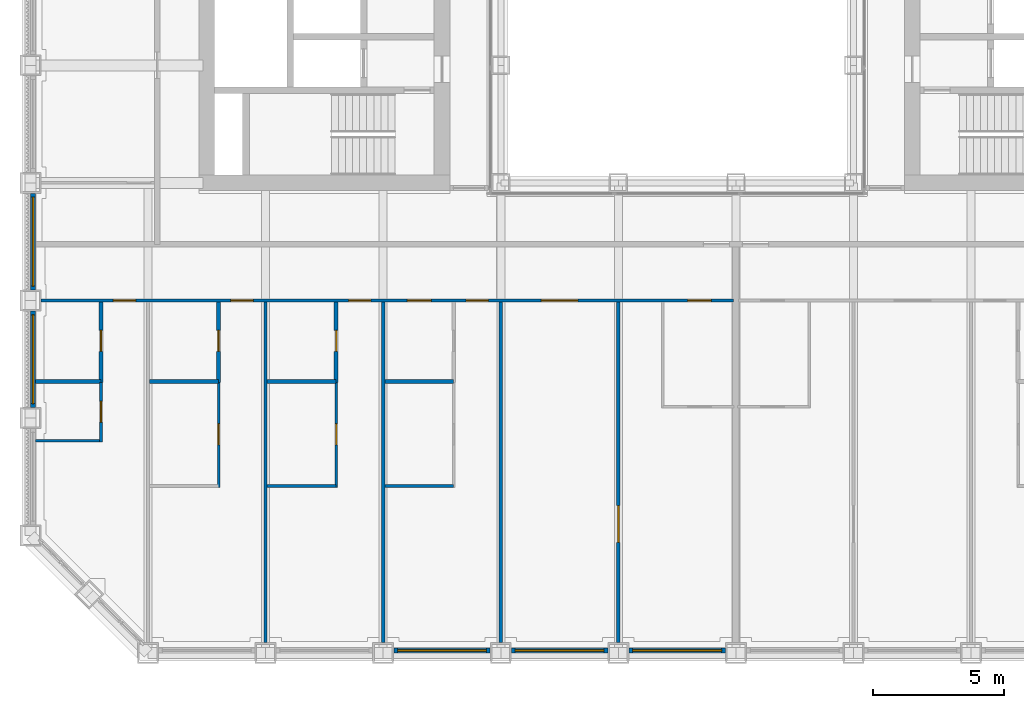
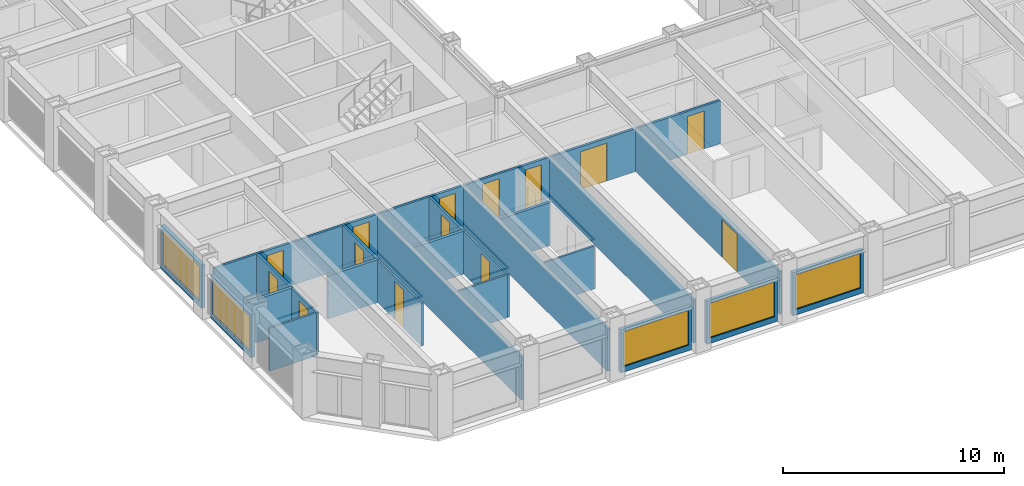
# One storey, part 9 of 21: 23 walls, 14 doors, 5 windows, 19 openings.
"""IFC4 building model written with IfcOpenShell, lengths in metres."""

from ifc_helpers import new_model, si_unit, direction, frame, frame_2d, origin, place, context, subcontext, project, spatial, rectangle, extrude, material, layer, layer_set, type_object, element, fill, save


model = new_model("IFC4")

# Units and contexts
model_context = context("Model", 3, precision=1e-05, world=origin(), true_north=direction((0.0, 1.0)))
body_context = subcontext(model_context, "Body", "Model", "MODEL_VIEW")
ifc_project = project(units=[si_unit("LENGTHUNIT", "METRE"), si_unit("AREAUNIT", "SQUARE_METRE"), si_unit("VOLUMEUNIT", "CUBIC_METRE"), si_unit("PLANEANGLEUNIT", "RADIAN"), si_unit("MASSUNIT", "GRAM", prefix="KILO")], contexts=[model_context])

# Site, building, storey
site_placement = place(None, origin())
site = spatial("IfcSite", under=ifc_project, at=site_placement, CompositionType="ELEMENT")
building_placement = place(site_placement, origin())
building = spatial("IfcBuilding", under=site, at=building_placement, Name="Msasa Ring Tower", CompositionType="ELEMENT")
storey_placement = place(building_placement, frame((0.0, 0.0, 82.5)))
storey = spatial("IfcBuildingStorey", under=building, at=storey_placement, Name="L21", CompositionType="ELEMENT", Elevation=82.5)

# Wall, opening, window
ifc_material_1 = material(Name="Terracotta rainscreen on blockwork", Category="masonry")
ifc_layer_1 = layer(ifc_material_1, 0.199951171875)
ifc_layer_set_1 = layer_set([ifc_layer_1], Name="FW1 TERRACOTTA-LINED INFILL BAY WALL 200")
wall_type_1 = type_object("IfcWallType", Name="FW1 TERRACOTTA-LINED INFILL BAY WALL 200", PredefinedType="SOLIDWALL", material=ifc_layer_set_1)
wall_1_placement = place(storey_placement, frame((-10.844970703125, -24.64990234375, 0.0), z_axis=(0.0, 0.0, 1.0), x_axis=(1.0, 0.0, 0.0)))
wall_1 = element("IfcWall", 1, at=wall_1_placement, inside=storey, type_object=wall_type_1, Name="Infill bay wall S L21 02", PredefinedType="SOLIDWALL", context=body_context, shape_type="SweptSolid", body=[
    extrude(rectangle(XDim=3.68994140625, YDim=0.199951171875, at=frame_2d((1.844970703125, 0.0))), origin(), (0.0, 0.0, 1.0), 2.37890625),
])
opening_1_placement = place(wall_1_placement, frame((0.14501953125, 0.0, 0.300048828125)))
opening_1 = element("IfcOpeningElement", 2, at=opening_1_placement, cuts=wall_1, Name="Opening WN1", PredefinedType="OPENING", context=body_context, shape_type="SweptSolid", body=[
    extrude(rectangle(XDim=3.39990234375, YDim=1.928955078125, at=frame_2d((1.699951171875, 0.96435546875))), frame((0.0, 0.10986328125, 0.0), z_axis=(0.0, -1.0, 0.0), x_axis=(1.0, 0.0, 0.0)), (0.0, 0.0, 1.0), 0.219970703125),
])
ifc_material_2 = material(Name="Aluminium frame with clear glass", Category="aluminium")
window_type = type_object("IfcWindowType", Name="WN1 RESIDENCE WINDOW 3400x1929", PartitioningType="SINGLE_PANEL", PredefinedType="WINDOW", material=ifc_material_2)
window_1_placement = place(opening_1_placement, origin())
window_1 = element("IfcWindow", 3, at=window_1_placement, inside=storey, type_object=window_type, Name="Window S L21 02", OverallHeight=1.928955078125, OverallWidth=3.39990234375, PartitioningType="SINGLE_PANEL", PredefinedType="WINDOW", context=body_context, shape_type="SweptSolid", body=[
    extrude(rectangle(XDim=3.39990234375, YDim=1.928955078125, at=frame_2d((1.699951171875, 0.96435546875))), frame((0.0, 0.030029296875, 0.0), z_axis=(0.0, -1.0, 0.0), x_axis=(1.0, 0.0, 0.0)), (0.0, 0.0, 1.0), 0.06005859375),
])
fill(opening_1, window_1)

wall_2_placement = place(storey_placement, frame((-6.344970703125, -24.64990234375, 0.0), z_axis=(0.0, 0.0, 1.0), x_axis=(1.0, 0.0, 0.0)))
wall_2 = element("IfcWall", 4, at=wall_2_placement, inside=storey, type_object=wall_type_1, Name="Infill bay wall S L21 03", PredefinedType="SOLIDWALL", context=body_context, shape_type="SweptSolid", body=[
    extrude(rectangle(XDim=3.68994140625, YDim=0.199951171875, at=frame_2d((1.844970703125, 0.0))), origin(), (0.0, 0.0, 1.0), 2.37890625),
])
opening_2_placement = place(wall_2_placement, frame((0.14501953125, 0.0, 0.300048828125)))
opening_2 = element("IfcOpeningElement", 5, at=opening_2_placement, cuts=wall_2, Name="Opening WN1", PredefinedType="OPENING", context=body_context, shape_type="SweptSolid", body=[
    extrude(rectangle(XDim=3.39990234375, YDim=1.928955078125, at=frame_2d((1.699951171875, 0.96435546875))), frame((0.0, 0.10986328125, 0.0), z_axis=(0.0, -1.0, 0.0), x_axis=(1.0, 0.0, 0.0)), (0.0, 0.0, 1.0), 0.219970703125),
])
window_2_placement = place(opening_2_placement, origin())
window_2 = element("IfcWindow", 6, at=window_2_placement, inside=storey, type_object=window_type, Name="Window S L21 03", OverallHeight=1.928955078125, OverallWidth=3.39990234375, PartitioningType="SINGLE_PANEL", PredefinedType="WINDOW", context=body_context, shape_type="SweptSolid", body=[
    extrude(rectangle(XDim=3.39990234375, YDim=1.928955078125, at=frame_2d((1.699951171875, 0.96435546875))), frame((0.0, 0.030029296875, 0.0), z_axis=(0.0, -1.0, 0.0), x_axis=(1.0, 0.0, 0.0)), (0.0, 0.0, 1.0), 0.06005859375),
])
fill(opening_2, window_2)

wall_3_placement = place(storey_placement, frame((-1.844970703125, -24.64990234375, 0.0), z_axis=(0.0, 0.0, 1.0), x_axis=(1.0, 0.0, 0.0)))
wall_3 = element("IfcWall", 7, at=wall_3_placement, inside=storey, type_object=wall_type_1, Name="Infill bay wall S L21 04", PredefinedType="SOLIDWALL", context=body_context, shape_type="SweptSolid", body=[
    extrude(rectangle(XDim=3.68994140625, YDim=0.199951171875, at=frame_2d((1.844970703125, 0.0))), origin(), (0.0, 0.0, 1.0), 2.37890625),
])
opening_3_placement = place(wall_3_placement, frame((0.14501953125, 0.0, 0.300048828125)))
opening_3 = element("IfcOpeningElement", 8, at=opening_3_placement, cuts=wall_3, Name="Opening WN1", PredefinedType="OPENING", context=body_context, shape_type="SweptSolid", body=[
    extrude(rectangle(XDim=3.39990234375, YDim=1.928955078125, at=frame_2d((1.699951171875, 0.96435546875))), frame((0.0, 0.10986328125, 0.0), z_axis=(0.0, -1.0, 0.0), x_axis=(1.0, 0.0, 0.0)), (0.0, 0.0, 1.0), 0.219970703125),
])
window_3_placement = place(opening_3_placement, origin())
window_3 = element("IfcWindow", 9, at=window_3_placement, inside=storey, type_object=window_type, Name="Window S L21 04", OverallHeight=1.928955078125, OverallWidth=3.39990234375, PartitioningType="SINGLE_PANEL", PredefinedType="WINDOW", context=body_context, shape_type="SweptSolid", body=[
    extrude(rectangle(XDim=3.39990234375, YDim=1.928955078125, at=frame_2d((1.699951171875, 0.96435546875))), frame((0.0, 0.030029296875, 0.0), z_axis=(0.0, -1.0, 0.0), x_axis=(1.0, 0.0, 0.0)), (0.0, 0.0, 1.0), 0.06005859375),
])
fill(opening_3, window_3)

wall_4_placement = place(storey_placement, frame((-24.64990234375, -15.344970703125, 0.0), z_axis=(0.0, 0.0, 1.0), x_axis=(0.0, 1.0, 0.0)))
wall_4 = element("IfcWall", 10, at=wall_4_placement, inside=storey, type_object=wall_type_1, Name="Infill bay wall W L21 34", PredefinedType="SOLIDWALL", context=body_context, shape_type="SweptSolid", body=[
    extrude(rectangle(XDim=3.68994140625, YDim=0.199951171875, at=frame_2d((1.844970703125, 0.0))), origin(), (0.0, 0.0, 1.0), 2.37890625),
])
opening_4_placement = place(wall_4_placement, frame((0.14501953125, 0.0, 0.300048828125)))
opening_4 = element("IfcOpeningElement", 11, at=opening_4_placement, cuts=wall_4, Name="Opening WN1", PredefinedType="OPENING", context=body_context, shape_type="SweptSolid", body=[
    extrude(rectangle(XDim=3.39990234375, YDim=1.928955078125, at=frame_2d((1.699951171875, 0.96435546875))), frame((0.0, 0.10986328125, 0.0), z_axis=(0.0, -1.0, 0.0), x_axis=(1.0, 0.0, 0.0)), (0.0, 0.0, 1.0), 0.219970703125),
])
window_4_placement = place(opening_4_placement, origin())
window_4 = element("IfcWindow", 12, at=window_4_placement, inside=storey, type_object=window_type, Name="Window W L21 34", OverallHeight=1.928955078125, OverallWidth=3.39990234375, PartitioningType="SINGLE_PANEL", PredefinedType="WINDOW", context=body_context, shape_type="SweptSolid", body=[
    extrude(rectangle(XDim=3.39990234375, YDim=1.928955078125, at=frame_2d((1.699951171875, 0.96435546875))), frame((0.0, 0.030029296875, 0.0), z_axis=(0.0, -1.0, 0.0), x_axis=(1.0, 0.0, 0.0)), (0.0, 0.0, 1.0), 0.06005859375),
])
fill(opening_4, window_4)

wall_5_placement = place(storey_placement, frame((-24.64990234375, -10.844970703125, 0.0), z_axis=(0.0, 0.0, 1.0), x_axis=(0.0, 1.0, 0.0)))
wall_5 = element("IfcWall", 13, at=wall_5_placement, inside=storey, type_object=wall_type_1, Name="Infill bay wall W L21 35", PredefinedType="SOLIDWALL", context=body_context, shape_type="SweptSolid", body=[
    extrude(rectangle(XDim=3.68994140625, YDim=0.199951171875, at=frame_2d((1.844970703125, 0.0))), origin(), (0.0, 0.0, 1.0), 2.37890625),
])
opening_5_placement = place(wall_5_placement, frame((0.14501953125, 0.0, 0.300048828125)))
opening_5 = element("IfcOpeningElement", 14, at=opening_5_placement, cuts=wall_5, Name="Opening WN1", PredefinedType="OPENING", context=body_context, shape_type="SweptSolid", body=[
    extrude(rectangle(XDim=3.39990234375, YDim=1.928955078125, at=frame_2d((1.699951171875, 0.96435546875))), frame((0.0, 0.10986328125, 0.0), z_axis=(0.0, -1.0, 0.0), x_axis=(1.0, 0.0, 0.0)), (0.0, 0.0, 1.0), 0.219970703125),
])
window_5_placement = place(opening_5_placement, origin())
window_5 = element("IfcWindow", 15, at=window_5_placement, inside=storey, type_object=window_type, Name="Window W L21 35", OverallHeight=1.928955078125, OverallWidth=3.39990234375, PartitioningType="SINGLE_PANEL", PredefinedType="WINDOW", context=body_context, shape_type="SweptSolid", body=[
    extrude(rectangle(XDim=3.39990234375, YDim=1.928955078125, at=frame_2d((1.699951171875, 0.96435546875))), frame((0.0, 0.030029296875, 0.0), z_axis=(0.0, -1.0, 0.0), x_axis=(1.0, 0.0, 0.0)), (0.0, 0.0, 1.0), 0.06005859375),
])
fill(opening_5, window_5)

# Wall
ifc_material_3 = material(Name="Gypsum board on steel studs", Category="steel")
ifc_layer_2 = layer(ifc_material_3, 0.10009765625)
ifc_layer_set_2 = layer_set([ifc_layer_2], Name="PT2 STUD PARTITION 100")
wall_type_2 = type_object("IfcWallType", Name="PT2 STUD PARTITION 100", PredefinedType="PARTITIONING", material=ifc_layer_set_2)
wall_6_placement = place(storey_placement, frame((-11.18994140625, -18.35302734375, 0.0), z_axis=(0.0, 0.0, 1.0), x_axis=(1.0, 0.0, 0.0)))
element("IfcWall", 16, at=wall_6_placement, inside=storey, type_object=wall_type_2, Name="Partition L21-VSWWY1", PredefinedType="PARTITIONING", context=body_context, shape_type="SweptSolid", body=[
    extrude(rectangle(XDim=2.639892578125, YDim=0.10009765625, at=frame_2d((1.31982421875, 0.0))), origin(), (0.0, 0.0, 1.0), 2.373291015625),
])

# Wall, opening, door
wall_7_placement = place(storey_placement, frame((-13.050048828125, -18.403076171875, 0.0), z_axis=(0.0, 0.0, 1.0), x_axis=(0.0, 1.0, 0.0)))
wall_7 = element("IfcWall", 17, at=wall_7_placement, inside=storey, type_object=wall_type_2, Name="Partition L21-VSWWX2", PredefinedType="PARTITIONING", context=body_context, shape_type="SweptSolid", body=[
    extrude(rectangle(XDim=4.003173828125, YDim=0.10009765625, at=frame_2d((2.00146484375, 0.0))), origin(), (0.0, 0.0, 1.0), 2.373291015625),
])
opening_6_placement = place(wall_7_placement, frame((1.626708984375, 0.0, 0.0)))
opening_6 = element("IfcOpeningElement", 18, at=opening_6_placement, cuts=wall_7, Name="Opening RF-081", PredefinedType="OPENING", context=body_context, shape_type="SweptSolid", body=[
    extrude(rectangle(XDim=0.800048828125, YDim=2.10009765625, at=frame_2d((0.39990234375, 1.050048828125))), frame((0.0, 0.06005859375, 0.0), z_axis=(0.0, -1.0, 0.0), x_axis=(1.0, 0.0, 0.0)), (0.0, 0.0, 1.0), 0.1201171875),
])
ifc_material_4 = material(Name="Timber door leaf in a steel frame", Category="steel")
door_type_1 = type_object("IfcDoorType", Name="D60 DRESSING ROOM DOOR 800x2100", OperationType="SINGLE_SWING_LEFT", PredefinedType="DOOR", material=ifc_material_4)
door_1_placement = place(opening_6_placement, origin())
door_1 = element("IfcDoor", 19, at=door_1_placement, inside=storey, type_object=door_type_1, Name="Door L21-VSWW2", OperationType="SINGLE_SWING_LEFT", OverallHeight=2.10009765625, OverallWidth=0.800048828125, PredefinedType="DOOR", context=body_context, shape_type="SweptSolid", body=[
    extrude(rectangle(XDim=0.800048828125, YDim=2.10009765625, at=frame_2d((0.39990234375, 1.050048828125))), frame((0.0, 0.02490234375, 0.0), z_axis=(0.0, -1.0, 0.0), x_axis=(1.0, 0.0, 0.0)), (0.0, 0.0, 1.0), 0.050048828125),
])
fill(opening_6, door_1)

# Wall
wall_8_placement = place(storey_placement, frame((-15.68994140625, -18.35302734375, 0.0), z_axis=(0.0, 0.0, 1.0), x_axis=(1.0, 0.0, 0.0)))
element("IfcWall", 20, at=wall_8_placement, inside=storey, type_object=wall_type_2, Name="Partition L21-VSWWY2", PredefinedType="PARTITIONING", context=body_context, shape_type="SweptSolid", body=[
    extrude(rectangle(XDim=2.639892578125, YDim=0.10009765625, at=frame_2d((1.31982421875, 0.0))), origin(), (0.0, 0.0, 1.0), 2.373291015625),
])

# Wall, opening, door
wall_9_placement = place(storey_placement, frame((-17.550048828125, -18.400390625, 0.0), z_axis=(0.0, 0.0, 1.0), x_axis=(0.0, 1.0, 0.0)))
wall_9 = element("IfcWall", 21, at=wall_9_placement, inside=storey, type_object=wall_type_2, Name="Partition L21-VSWWX3", PredefinedType="PARTITIONING", context=body_context, shape_type="SweptSolid", body=[
    extrude(rectangle(XDim=4.00048828125, YDim=0.10009765625, at=frame_2d((2.000244140625, 0.0))), origin(), (0.0, 0.0, 1.0), 2.373291015625),
])
opening_7_placement = place(wall_9_placement, frame((1.625244140625, 0.0, 0.0)))
opening_7 = element("IfcOpeningElement", 22, at=opening_7_placement, cuts=wall_9, Name="Opening RF-080", PredefinedType="OPENING", context=body_context, shape_type="SweptSolid", body=[
    extrude(rectangle(XDim=0.800048828125, YDim=2.10009765625, at=frame_2d((0.39990234375, 1.050048828125))), frame((0.0, 0.06005859375, 0.0), z_axis=(0.0, -1.0, 0.0), x_axis=(1.0, 0.0, 0.0)), (0.0, 0.0, 1.0), 0.1201171875),
])
door_2_placement = place(opening_7_placement, origin())
door_2 = element("IfcDoor", 23, at=door_2_placement, inside=storey, type_object=door_type_1, Name="Door L21-VSWW3", OperationType="SINGLE_SWING_LEFT", OverallHeight=2.10009765625, OverallWidth=0.800048828125, PredefinedType="DOOR", context=body_context, shape_type="SweptSolid", body=[
    extrude(rectangle(XDim=0.800048828125, YDim=2.10009765625, at=frame_2d((0.39990234375, 1.050048828125))), frame((0.0, 0.02490234375, 0.0), z_axis=(0.0, -1.0, 0.0), x_axis=(1.0, 0.0, 0.0)), (0.0, 0.0, 1.0), 0.050048828125),
])
fill(opening_7, door_2)

wall_10_placement = place(storey_placement, frame((-22.050048828125, -16.673583984375, 0.0), z_axis=(0.0, 0.0, 1.0), x_axis=(0.0, 1.0, 0.0)))
wall_10 = element("IfcWall", 24, at=wall_10_placement, inside=storey, type_object=wall_type_2, Name="Partition L21-VSWWX4", PredefinedType="PARTITIONING", context=body_context, shape_type="SweptSolid", body=[
    extrude(rectangle(XDim=2.273681640625, YDim=0.10009765625, at=frame_2d((1.13671875, 0.0))), origin(), (0.0, 0.0, 1.0), 2.373291015625),
])
opening_8_placement = place(wall_10_placement, frame((0.76171875, 0.0, 0.0)))
opening_8 = element("IfcOpeningElement", 25, at=opening_8_placement, cuts=wall_10, Name="Opening RF-078", PredefinedType="OPENING", context=body_context, shape_type="SweptSolid", body=[
    extrude(rectangle(XDim=0.800048828125, YDim=2.10009765625, at=frame_2d((0.39990234375, 1.050048828125))), frame((0.0, 0.06005859375, 0.0), z_axis=(0.0, -1.0, 0.0), x_axis=(1.0, 0.0, 0.0)), (0.0, 0.0, 1.0), 0.1201171875),
])
door_3_placement = place(opening_8_placement, origin())
door_3 = element("IfcDoor", 26, at=door_3_placement, inside=storey, type_object=door_type_1, Name="Door L21-VSWW4", OperationType="SINGLE_SWING_LEFT", OverallHeight=2.10009765625, OverallWidth=0.800048828125, PredefinedType="DOOR", context=body_context, shape_type="SweptSolid", body=[
    extrude(rectangle(XDim=0.800048828125, YDim=2.10009765625, at=frame_2d((0.39990234375, 1.050048828125))), frame((0.0, 0.02490234375, 0.0), z_axis=(0.0, -1.0, 0.0), x_axis=(1.0, 0.0, 0.0)), (0.0, 0.0, 1.0), 0.050048828125),
])
fill(opening_8, door_3)

# Walls
wall_11_placement = place(storey_placement, frame((-24.550048828125, -16.62353515625, 0.0), z_axis=(0.0, 0.0, 1.0), x_axis=(1.0, 0.0, 0.0)))
element("IfcWall", 27, at=wall_11_placement, inside=storey, type_object=wall_type_2, Name="Partition L21-VSWWY4", PredefinedType="PARTITIONING", context=body_context, shape_type="SweptSolid", body=[
    extrude(rectangle(XDim=2.5, YDim=0.10009765625, at=frame_2d((1.25, 0.0))), origin(), (0.0, 0.0, 1.0), 2.373291015625),
])
ifc_material_5 = material(Name="Moisture-resistant board on steel studs with a concealed cistern and pipe void, tiled", Category="steel")
ifc_layer_3 = layer(ifc_material_5, 0.14990234375)
ifc_layer_set_3 = layer_set([ifc_layer_3], Name="PT4 BATHROOM WET WALL 150")
wall_type_3 = type_object("IfcWallType", Name="PT4 BATHROOM WET WALL 150", PredefinedType="PARTITIONING", material=ifc_layer_set_3)
wall_12_placement = place(storey_placement, frame((-11.18994140625, -14.35009765625, 0.0), z_axis=(0.0, 0.0, 1.0), x_axis=(1.0, 0.0, 0.0)))
element("IfcWall", 28, at=wall_12_placement, inside=storey, type_object=wall_type_3, Name="Partition L21-VSWBY1", PredefinedType="PARTITIONING", context=body_context, shape_type="SweptSolid", body=[
    extrude(rectangle(XDim=2.639892578125, YDim=0.14990234375, at=frame_2d((1.31982421875, 0.0))), origin(), (0.0, 0.0, 1.0), 2.373291015625),
])

# Wall, opening, door
wall_13_placement = place(storey_placement, frame((-13.050048828125, -14.39990234375, 0.0), z_axis=(0.0, 0.0, 1.0), x_axis=(0.0, 1.0, 0.0)))
wall_13 = element("IfcWall", 29, at=wall_13_placement, inside=storey, type_object=wall_type_3, Name="Partition L21-VSWBX2", PredefinedType="PARTITIONING", context=body_context, shape_type="SweptSolid", body=[
    extrude(rectangle(XDim=3.08740234375, YDim=0.14990234375, at=frame_2d((1.543701171875, 0.0))), origin(), (0.0, 0.0, 1.0), 2.373291015625),
])
opening_9_placement = place(wall_13_placement, frame((1.199951171875, 0.0, 0.0)))
opening_9 = element("IfcOpeningElement", 30, at=opening_9_placement, cuts=wall_13, Name="Opening RF-071", PredefinedType="OPENING", context=body_context, shape_type="SweptSolid", body=[
    extrude(rectangle(XDim=0.800048828125, YDim=2.10009765625, at=frame_2d((0.39990234375, 1.050048828125))), frame((0.0, 0.0849609375, 0.0), z_axis=(0.0, -1.0, 0.0), x_axis=(1.0, 0.0, 0.0)), (0.0, 0.0, 1.0), 0.169921875),
])
ifc_material_6 = material(Name="Timber door leaf in a steel frame", Category="steel")
door_type_2 = type_object("IfcDoorType", Name="D21 POCKET SLIDING BATHROOM DOOR 800x2100", OperationType="SINGLE_SWING_LEFT", PredefinedType="DOOR", material=ifc_material_6)
door_4_placement = place(opening_9_placement, origin())
door_4 = element("IfcDoor", 31, at=door_4_placement, inside=storey, type_object=door_type_2, Name="Door L21-VSWB2", OperationType="SINGLE_SWING_RIGHT", OverallHeight=2.10009765625, OverallWidth=0.800048828125, PredefinedType="DOOR", context=body_context, shape_type="SweptSolid", body=[
    extrude(rectangle(XDim=0.800048828125, YDim=2.10009765625, at=frame_2d((0.39990234375, 1.050048828125))), frame((0.0, 0.02490234375, 0.0), z_axis=(0.0, -1.0, 0.0), x_axis=(1.0, 0.0, 0.0)), (0.0, 0.0, 1.0), 0.050048828125),
])
fill(opening_9, door_4)

# Wall
wall_14_placement = place(storey_placement, frame((-15.68994140625, -14.35009765625, 0.0), z_axis=(0.0, 0.0, 1.0), x_axis=(1.0, 0.0, 0.0)))
element("IfcWall", 32, at=wall_14_placement, inside=storey, type_object=wall_type_3, Name="Partition L21-VSWBY2", PredefinedType="PARTITIONING", context=body_context, shape_type="SweptSolid", body=[
    extrude(rectangle(XDim=2.639892578125, YDim=0.14990234375, at=frame_2d((1.31982421875, 0.0))), origin(), (0.0, 0.0, 1.0), 2.373291015625),
])

# Wall, opening, door
wall_15_placement = place(storey_placement, frame((-17.550048828125, -14.39990234375, 0.0), z_axis=(0.0, 0.0, 1.0), x_axis=(0.0, 1.0, 0.0)))
wall_15 = element("IfcWall", 33, at=wall_15_placement, inside=storey, type_object=wall_type_3, Name="Partition L21-VSWBX3", PredefinedType="PARTITIONING", context=body_context, shape_type="SweptSolid", body=[
    extrude(rectangle(XDim=3.08740234375, YDim=0.14990234375, at=frame_2d((1.543701171875, 0.0))), origin(), (0.0, 0.0, 1.0), 2.373291015625),
])
opening_10_placement = place(wall_15_placement, frame((1.199951171875, 0.0, 0.0)))
opening_10 = element("IfcOpeningElement", 34, at=opening_10_placement, cuts=wall_15, Name="Opening RF-070", PredefinedType="OPENING", context=body_context, shape_type="SweptSolid", body=[
    extrude(rectangle(XDim=0.800048828125, YDim=2.10009765625, at=frame_2d((0.39990234375, 1.050048828125))), frame((0.0, 0.0849609375, 0.0), z_axis=(0.0, -1.0, 0.0), x_axis=(1.0, 0.0, 0.0)), (0.0, 0.0, 1.0), 0.169921875),
])
door_5_placement = place(opening_10_placement, origin())
door_5 = element("IfcDoor", 35, at=door_5_placement, inside=storey, type_object=door_type_2, Name="Door L21-VSWB3", OperationType="SINGLE_SWING_RIGHT", OverallHeight=2.10009765625, OverallWidth=0.800048828125, PredefinedType="DOOR", context=body_context, shape_type="SweptSolid", body=[
    extrude(rectangle(XDim=0.800048828125, YDim=2.10009765625, at=frame_2d((0.39990234375, 1.050048828125))), frame((0.0, 0.02490234375, 0.0), z_axis=(0.0, -1.0, 0.0), x_axis=(1.0, 0.0, 0.0)), (0.0, 0.0, 1.0), 0.050048828125),
])
fill(opening_10, door_5)

# Wall
wall_16_placement = place(storey_placement, frame((-20.18994140625, -14.35009765625, 0.0), z_axis=(0.0, 0.0, 1.0), x_axis=(1.0, 0.0, 0.0)))
element("IfcWall", 36, at=wall_16_placement, inside=storey, type_object=wall_type_3, Name="Partition L21-VSWBY3", PredefinedType="PARTITIONING", context=body_context, shape_type="SweptSolid", body=[
    extrude(rectangle(XDim=2.639892578125, YDim=0.14990234375, at=frame_2d((1.31982421875, 0.0))), origin(), (0.0, 0.0, 1.0), 2.373291015625),
])

# Wall, opening, door
wall_17_placement = place(storey_placement, frame((-22.050048828125, -14.39990234375, 0.0), z_axis=(0.0, 0.0, 1.0), x_axis=(0.0, 1.0, 0.0)))
wall_17 = element("IfcWall", 37, at=wall_17_placement, inside=storey, type_object=wall_type_3, Name="Partition L21-VSWBX4", PredefinedType="PARTITIONING", context=body_context, shape_type="SweptSolid", body=[
    extrude(rectangle(XDim=3.08740234375, YDim=0.14990234375, at=frame_2d((1.543701171875, 0.0))), origin(), (0.0, 0.0, 1.0), 2.373291015625),
])
opening_11_placement = place(wall_17_placement, frame((1.199951171875, 0.0, 0.0)))
opening_11 = element("IfcOpeningElement", 38, at=opening_11_placement, cuts=wall_17, Name="Opening RF-069", PredefinedType="OPENING", context=body_context, shape_type="SweptSolid", body=[
    extrude(rectangle(XDim=0.800048828125, YDim=2.10009765625, at=frame_2d((0.39990234375, 1.050048828125))), frame((0.0, 0.0849609375, 0.0), z_axis=(0.0, -1.0, 0.0), x_axis=(1.0, 0.0, 0.0)), (0.0, 0.0, 1.0), 0.169921875),
])
door_6_placement = place(opening_11_placement, origin())
door_6 = element("IfcDoor", 39, at=door_6_placement, inside=storey, type_object=door_type_2, Name="Door L21-VSWB4", OperationType="SINGLE_SWING_RIGHT", OverallHeight=2.10009765625, OverallWidth=0.800048828125, PredefinedType="DOOR", context=body_context, shape_type="SweptSolid", body=[
    extrude(rectangle(XDim=0.800048828125, YDim=2.10009765625, at=frame_2d((0.39990234375, 1.050048828125))), frame((0.0, 0.02490234375, 0.0), z_axis=(0.0, -1.0, 0.0), x_axis=(1.0, 0.0, 0.0)), (0.0, 0.0, 1.0), 0.050048828125),
])
fill(opening_11, door_6)

# Wall
wall_18_placement = place(storey_placement, frame((-24.550048828125, -14.35009765625, 0.0), z_axis=(0.0, 0.0, 1.0), x_axis=(1.0, 0.0, 0.0)))
element("IfcWall", 40, at=wall_18_placement, inside=storey, type_object=wall_type_3, Name="Partition L21-VSWBY4", PredefinedType="PARTITIONING", context=body_context, shape_type="SweptSolid", body=[
    extrude(rectangle(XDim=2.5, YDim=0.14990234375, at=frame_2d((1.25, 0.0))), origin(), (0.0, 0.0, 1.0), 2.373291015625),
])

# Wall, openings, doors
ifc_material_7 = material(Name="Two layers of acoustic board each face on steel studs, mineral wool", Category="steel")
ifc_layer_4 = layer(ifc_material_7, 0.125)
ifc_layer_set_4 = layer_set([ifc_layer_4], Name="PT6 ACOUSTIC DOUBLE-BOARD PARTITION 125")
wall_type_4 = type_object("IfcWallType", Name="PT6 ACOUSTIC DOUBLE-BOARD PARTITION 125", PredefinedType="PARTITIONING", material=ifc_layer_set_4)
wall_19_placement = place(storey_placement, frame((-24.35009765625, -11.25, 0.0), z_axis=(0.0, 0.0, 1.0), x_axis=(1.0, 0.0, 0.0)))
wall_19 = element("IfcWall", 41, at=wall_19_placement, inside=storey, type_object=wall_type_4, Name="Partition L21-VSWHY", PredefinedType="PARTITIONING", context=body_context, shape_type="SweptSolid", body=[
    extrude(rectangle(XDim=26.5, YDim=0.125, at=frame_2d((13.25, 0.0))), origin(), (0.0, 0.0, 1.0), 2.373291015625),
])
opening_12_placement = place(wall_19_placement, frame((24.75, 0.0, 0.0)))
opening_12 = element("IfcOpeningElement", 42, at=opening_12_placement, cuts=wall_19, Name="Opening RF-062", PredefinedType="OPENING", context=body_context, shape_type="SweptSolid", body=[
    extrude(rectangle(XDim=0.89990234375, YDim=2.10009765625, at=frame_2d((0.449951171875, 1.050048828125))), frame((0.0, 0.072509765625, 0.0), z_axis=(0.0, -1.0, 0.0), x_axis=(1.0, 0.0, 0.0)), (0.0, 0.0, 1.0), 0.14501953125),
])
opening_13_placement = place(wall_19_placement, frame((19.14990234375, 0.0, 0.0)))
opening_13 = element("IfcOpeningElement", 43, at=opening_13_placement, cuts=wall_19, Name="Opening RF-061", PredefinedType="OPENING", context=body_context, shape_type="SweptSolid", body=[
    extrude(rectangle(XDim=1.39990234375, YDim=2.10009765625, at=frame_2d((0.699951171875, 1.050048828125))), frame((0.0, 0.072509765625, 0.0), z_axis=(0.0, -1.0, 0.0), x_axis=(1.0, 0.0, 0.0)), (0.0, 0.0, 1.0), 0.14501953125),
])
opening_14_placement = place(wall_19_placement, frame((16.27490234375, 0.0, 0.0)))
opening_14 = element("IfcOpeningElement", 44, at=opening_14_placement, cuts=wall_19, Name="Opening RF-060", PredefinedType="OPENING", context=body_context, shape_type="SweptSolid", body=[
    extrude(rectangle(XDim=0.85009765625, YDim=2.10009765625, at=frame_2d((0.425048828125, 1.050048828125))), frame((0.0, 0.072509765625, 0.0), z_axis=(0.0, -1.0, 0.0), x_axis=(1.0, 0.0, 0.0)), (0.0, 0.0, 1.0), 0.14501953125),
])
opening_15_placement = place(wall_19_placement, frame((14.030029296875, 0.0, 0.0)))
opening_15 = element("IfcOpeningElement", 45, at=opening_15_placement, cuts=wall_19, Name="Opening RF-059", PredefinedType="OPENING", context=body_context, shape_type="SweptSolid", body=[
    extrude(rectangle(XDim=0.89990234375, YDim=2.10009765625, at=frame_2d((0.449951171875, 1.050048828125))), frame((0.0, 0.072509765625, 0.0), z_axis=(0.0, -1.0, 0.0), x_axis=(1.0, 0.0, 0.0)), (0.0, 0.0, 1.0), 0.14501953125),
])
opening_16_placement = place(wall_19_placement, frame((11.77490234375, 0.0, 0.0)))
opening_16 = element("IfcOpeningElement", 46, at=opening_16_placement, cuts=wall_19, Name="Opening RF-058", PredefinedType="OPENING", context=body_context, shape_type="SweptSolid", body=[
    extrude(rectangle(XDim=0.85009765625, YDim=2.10009765625, at=frame_2d((0.425048828125, 1.050048828125))), frame((0.0, 0.072509765625, 0.0), z_axis=(0.0, -1.0, 0.0), x_axis=(1.0, 0.0, 0.0)), (0.0, 0.0, 1.0), 0.14501953125),
])
opening_17_placement = place(wall_19_placement, frame((7.27490234375, 0.0, 0.0)))
opening_17 = element("IfcOpeningElement", 47, at=opening_17_placement, cuts=wall_19, Name="Opening RF-057", PredefinedType="OPENING", context=body_context, shape_type="SweptSolid", body=[
    extrude(rectangle(XDim=0.85009765625, YDim=2.10009765625, at=frame_2d((0.425048828125, 1.050048828125))), frame((0.0, 0.072509765625, 0.0), z_axis=(0.0, -1.0, 0.0), x_axis=(1.0, 0.0, 0.0)), (0.0, 0.0, 1.0), 0.14501953125),
])
opening_18_placement = place(wall_19_placement, frame((2.77490234375, 0.0, 0.0)))
opening_18 = element("IfcOpeningElement", 48, at=opening_18_placement, cuts=wall_19, Name="Opening RF-056", PredefinedType="OPENING", context=body_context, shape_type="SweptSolid", body=[
    extrude(rectangle(XDim=0.85009765625, YDim=2.10009765625, at=frame_2d((0.425048828125, 1.050048828125))), frame((0.0, 0.072509765625, 0.0), z_axis=(0.0, -1.0, 0.0), x_axis=(1.0, 0.0, 0.0)), (0.0, 0.0, 1.0), 0.14501953125),
])
ifc_material_8 = material(Name="Timber door leaf in a steel frame", Category="steel")
door_type_3 = type_object("IfcDoorType", Name="D14 BEDROOM DOOR 850x2100", OperationType="SINGLE_SWING_LEFT", PredefinedType="DOOR", material=ifc_material_8)
door_7_placement = place(opening_14_placement, origin())
door_7 = element("IfcDoor", 49, at=door_7_placement, inside=storey, type_object=door_type_3, Name="Door L21-VSWR1", OperationType="SINGLE_SWING_RIGHT", OverallHeight=2.10009765625, OverallWidth=0.85009765625, PredefinedType="DOOR", context=body_context, shape_type="SweptSolid", body=[
    extrude(rectangle(XDim=0.85009765625, YDim=2.10009765625, at=frame_2d((0.425048828125, 1.050048828125))), frame((0.0, 0.02490234375, 0.0), z_axis=(0.0, -1.0, 0.0), x_axis=(1.0, 0.0, 0.0)), (0.0, 0.0, 1.0), 0.050048828125),
])
fill(opening_14, door_7)
door_8_placement = place(opening_16_placement, origin())
door_8 = element("IfcDoor", 50, at=door_8_placement, inside=storey, type_object=door_type_3, Name="Door L21-VSWR2", OperationType="SINGLE_SWING_LEFT", OverallHeight=2.10009765625, OverallWidth=0.85009765625, PredefinedType="DOOR", context=body_context, shape_type="SweptSolid", body=[
    extrude(rectangle(XDim=0.85009765625, YDim=2.10009765625, at=frame_2d((0.425048828125, 1.050048828125))), frame((0.0, 0.02490234375, 0.0), z_axis=(0.0, -1.0, 0.0), x_axis=(1.0, 0.0, 0.0)), (0.0, 0.0, 1.0), 0.050048828125),
])
fill(opening_16, door_8)
door_9_placement = place(opening_17_placement, origin())
door_9 = element("IfcDoor", 51, at=door_9_placement, inside=storey, type_object=door_type_3, Name="Door L21-VSWR3", OperationType="SINGLE_SWING_LEFT", OverallHeight=2.10009765625, OverallWidth=0.85009765625, PredefinedType="DOOR", context=body_context, shape_type="SweptSolid", body=[
    extrude(rectangle(XDim=0.85009765625, YDim=2.10009765625, at=frame_2d((0.425048828125, 1.050048828125))), frame((0.0, 0.02490234375, 0.0), z_axis=(0.0, -1.0, 0.0), x_axis=(1.0, 0.0, 0.0)), (0.0, 0.0, 1.0), 0.050048828125),
])
fill(opening_17, door_9)
door_10_placement = place(opening_18_placement, origin())
door_10 = element("IfcDoor", 52, at=door_10_placement, inside=storey, type_object=door_type_3, Name="Door L21-VSWR4", OperationType="SINGLE_SWING_LEFT", OverallHeight=2.10009765625, OverallWidth=0.85009765625, PredefinedType="DOOR", context=body_context, shape_type="SweptSolid", body=[
    extrude(rectangle(XDim=0.85009765625, YDim=2.10009765625, at=frame_2d((0.425048828125, 1.050048828125))), frame((0.0, 0.02490234375, 0.0), z_axis=(0.0, -1.0, 0.0), x_axis=(1.0, 0.0, 0.0)), (0.0, 0.0, 1.0), 0.050048828125),
])
fill(opening_18, door_10)
ifc_material_9 = material(Name="Timber door leaf in a steel frame", Category="steel")
door_type_4 = type_object("IfcDoorType", Name="D15 LIVING ROOM PAIR OF GLAZED DOORS 1400x2100", OperationType="SINGLE_SWING_LEFT", PredefinedType="DOOR", material=ifc_material_9)
door_11_placement = place(opening_13_placement, origin())
door_11 = element("IfcDoor", 53, at=door_11_placement, inside=storey, type_object=door_type_4, Name="Door L21-VSWL", OperationType="SINGLE_SWING_RIGHT", OverallHeight=2.10009765625, OverallWidth=1.39990234375, PredefinedType="DOOR", context=body_context, shape_type="SweptSolid", body=[
    extrude(rectangle(XDim=1.39990234375, YDim=2.10009765625, at=frame_2d((0.699951171875, 1.050048828125))), frame((0.0, 0.02490234375, 0.0), z_axis=(0.0, -1.0, 0.0), x_axis=(1.0, 0.0, 0.0)), (0.0, 0.0, 1.0), 0.050048828125),
])
fill(opening_13, door_11)
ifc_material_10 = material(Name="Timber door leaf in a steel frame", Category="steel")
door_type_5 = type_object("IfcDoorType", Name="D22 INTERNAL HALL DOOR 900x2100", OperationType="SINGLE_SWING_LEFT", PredefinedType="DOOR", material=ifc_material_10)
door_12_placement = place(opening_12_placement, origin())
door_12 = element("IfcDoor", 54, at=door_12_placement, inside=storey, type_object=door_type_5, Name="Door L21-VSWK", OperationType="SINGLE_SWING_RIGHT", OverallHeight=2.10009765625, OverallWidth=0.89990234375, PredefinedType="DOOR", context=body_context, shape_type="SweptSolid", body=[
    extrude(rectangle(XDim=0.89990234375, YDim=2.10009765625, at=frame_2d((0.449951171875, 1.050048828125))), frame((0.0, 0.02490234375, 0.0), z_axis=(0.0, -1.0, 0.0), x_axis=(1.0, 0.0, 0.0)), (0.0, 0.0, 1.0), 0.050048828125),
])
fill(opening_12, door_12)
ifc_material_11 = material(Name="Timber door leaf in a steel frame", Category="steel")
door_type_6 = type_object("IfcDoorType", Name="D3 BATHROOM DOOR 900x2100", OperationType="SINGLE_SWING_LEFT", PredefinedType="DOOR", material=ifc_material_11)
door_13_placement = place(opening_15_placement, origin())
door_13 = element("IfcDoor", 55, at=door_13_placement, inside=storey, type_object=door_type_6, Name="Door L21-VSWBH1", OperationType="SINGLE_SWING_RIGHT", OverallHeight=2.10009765625, OverallWidth=0.89990234375, PredefinedType="DOOR", context=body_context, shape_type="SweptSolid", body=[
    extrude(rectangle(XDim=0.89990234375, YDim=2.10009765625, at=frame_2d((0.449951171875, 1.050048828125))), frame((0.0, 0.02490234375, 0.0), z_axis=(0.0, -1.0, 0.0), x_axis=(1.0, 0.0, 0.0)), (0.0, 0.0, 1.0), 0.050048828125),
])
fill(opening_15, door_13)

# Wall, opening, door
wall_20_placement = place(storey_placement, frame((-2.25, -24.35009765625, 0.0), z_axis=(0.0, 0.0, 1.0), x_axis=(0.0, 1.0, 0.0)))
wall_20 = element("IfcWall", 56, at=wall_20_placement, inside=storey, type_object=wall_type_4, Name="Partition L21-VSWLM", PredefinedType="PARTITIONING", context=body_context, shape_type="SweptSolid", body=[
    extrude(rectangle(XDim=13.03759765625, YDim=0.125, at=frame_2d((6.518798828125, 0.0))), origin(), (0.0, 0.0, 1.0), 2.373291015625),
])
opening_19_placement = place(wall_20_placement, frame((3.84375, 0.0, 0.0)))
opening_19 = element("IfcOpeningElement", 57, at=opening_19_placement, cuts=wall_20, Name="Opening RF-085", PredefinedType="OPENING", context=body_context, shape_type="SweptSolid", body=[
    extrude(rectangle(XDim=1.39990234375, YDim=2.10009765625, at=frame_2d((0.699951171875, 1.050048828125))), frame((0.0, 0.072509765625, 0.0), z_axis=(0.0, -1.0, 0.0), x_axis=(1.0, 0.0, 0.0)), (0.0, 0.0, 1.0), 0.14501953125),
])
door_14_placement = place(opening_19_placement, origin())
door_14 = element("IfcDoor", 58, at=door_14_placement, inside=storey, type_object=door_type_4, Name="Door L21-VSWLD", OperationType="SINGLE_SWING_LEFT", OverallHeight=2.10009765625, OverallWidth=1.39990234375, PredefinedType="DOOR", context=body_context, shape_type="SweptSolid", body=[
    extrude(rectangle(XDim=1.39990234375, YDim=2.10009765625, at=frame_2d((0.699951171875, 1.050048828125))), frame((0.0, 0.02490234375, 0.0), z_axis=(0.0, -1.0, 0.0), x_axis=(1.0, 0.0, 0.0)), (0.0, 0.0, 1.0), 0.050048828125),
])
fill(opening_19, door_14)

# Walls
for number, where, z_axis, x_axis, name in (
    (59, (-6.75, -24.35009765625, 0.0), (0.0, 0.0, 1.0), (0.0, 1.0, 0.0), "Partition L21-VSWP1"),
    (60, (-11.25, -24.35009765625, 0.0), (0.0, 0.0, 1.0), (0.0, 1.0, 0.0), "Partition L21-VSWP2"),
    (61, (-15.75, -24.35009765625, 0.0), (0.0, 0.0, 1.0), (0.0, 1.0, 0.0), "Partition L21-VSWP3"),
):
    element("IfcWall", number, at=place(storey_placement, frame(where, z_axis=z_axis, x_axis=x_axis)), inside=storey, type_object=wall_type_4, Name=name, PredefinedType="PARTITIONING", context=body_context, shape_type="SweptSolid", body=[
        extrude(rectangle(XDim=13.03759765625, YDim=0.125, at=frame_2d((6.518798828125, 0.0))), origin(), (0.0, 0.0, 1.0), 2.373291015625),
    ])

save(model, "model.ifc")
